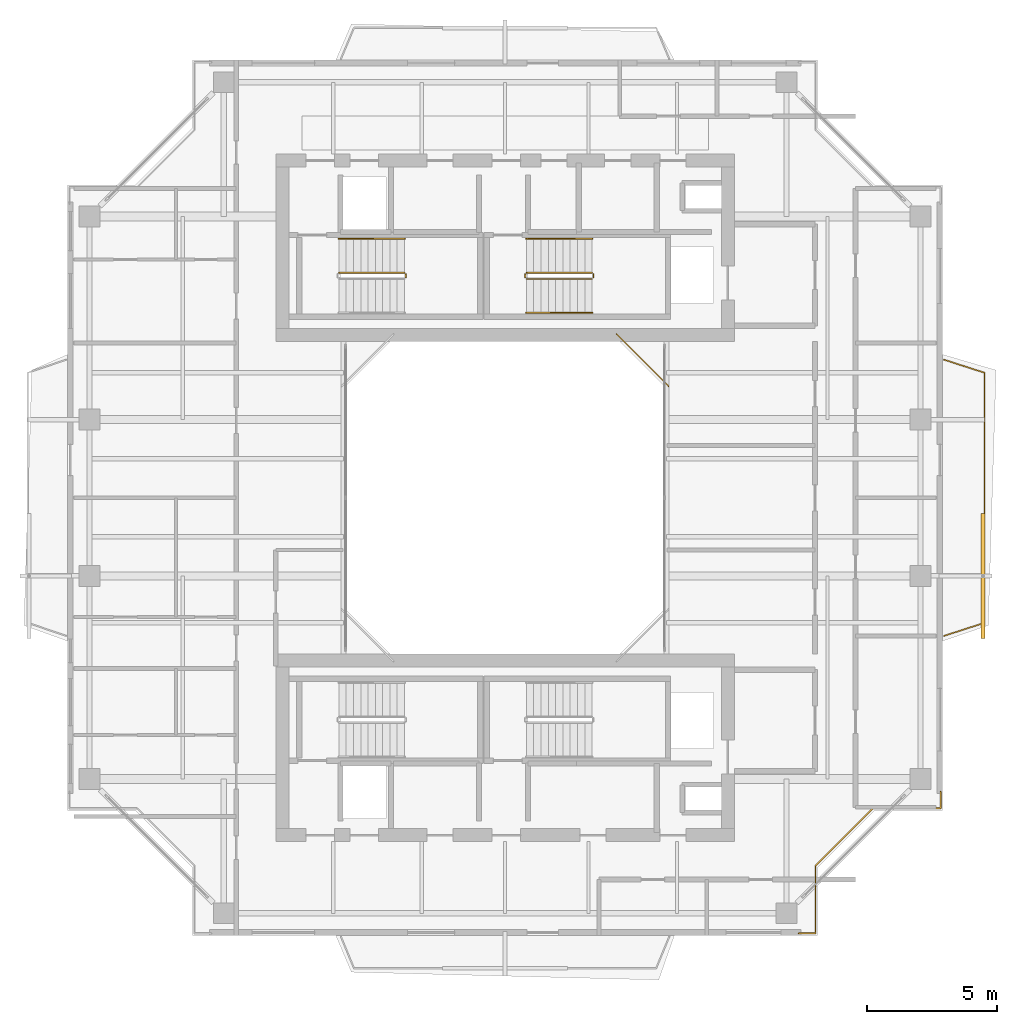
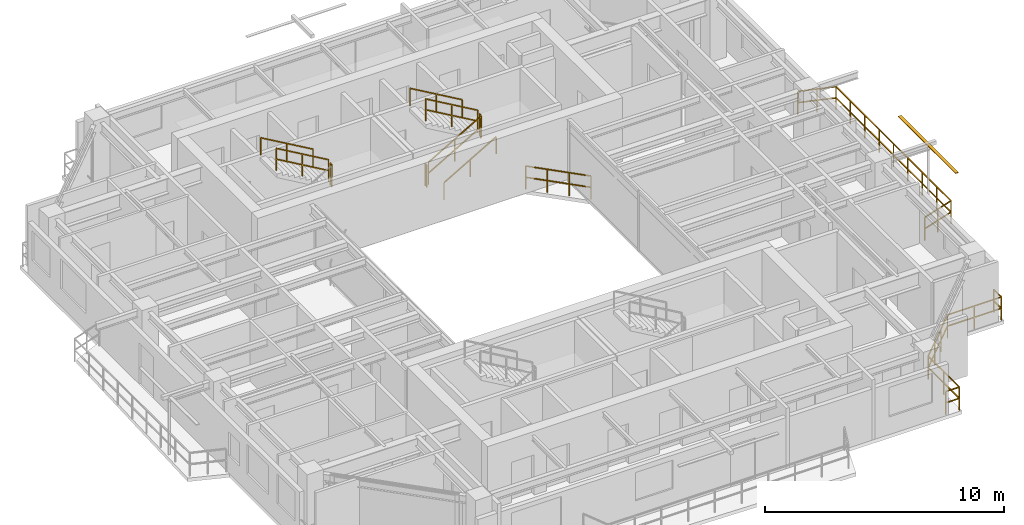
# One storey, part 15 of 16: 12 railings, 1 shading device.
"""IFC4 building model written with IfcOpenShell, lengths in metres."""

from ifc_helpers import new_model, si_unit, direction, frame, origin, origin_2d, place, context, subcontext, project, spatial, rectangle, extrude, source, transform, mapped, material, material_profile, profile_set, type_object, element, save


model = new_model("IFC4")

# Units and contexts
model_context = context("Model", 3, precision=1e-05, world=origin(), true_north=direction((0.0, 1.0)))
body_context = subcontext(model_context, "Body", "Model", "MODEL_VIEW")
ifc_project = project(units=[si_unit("LENGTHUNIT", "METRE"), si_unit("AREAUNIT", "SQUARE_METRE"), si_unit("VOLUMEUNIT", "CUBIC_METRE"), si_unit("PLANEANGLEUNIT", "RADIAN"), si_unit("MASSUNIT", "GRAM", prefix="KILO"), si_unit("THERMODYNAMICTEMPERATUREUNIT", "KELVIN"), si_unit("POWERUNIT", "WATT")], contexts=[model_context])

# Site, building, storey
site_placement = place(None, origin())
site = spatial("IfcSite", under=ifc_project, at=site_placement, CompositionType="ELEMENT")
building_placement = place(site_placement, origin())
building = spatial("IfcBuilding", under=site, at=building_placement, Name="Qiaomeng Ring Towers", CompositionType="ELEMENT")
storey_placement = place(building_placement, frame((0.0, 0.0, 216.5)))
storey = spatial("IfcBuildingStorey", under=building, at=storey_placement, Name="L63", CompositionType="ELEMENT", Elevation=216.5)

# Railings
ifc_material_1 = material(Name="Low-E pale-green laminated safety glass", Category="glass")
railing_type_1 = type_object("IfcRailingType", Name="ARC-RL-BAL1", PredefinedType="BALUSTRADE", material=ifc_material_1)
railing_1_placement = place(storey_placement, frame((25.280029296875, 27.280029296875, 0.0)))
element("IfcRailing", 1, at=railing_1_placement, inside=storey, type_object=railing_type_1, Name="L63 Balustrade ARC-BAL-WELL1-L63-2", PredefinedType="BALUSTRADE", context=body_context, shape_type="SweptSolid", body=[
    extrude(rectangle(XDim=0.048095703125, YDim=0.048095703125, at=origin_2d()), frame((0.0, 0.0, 1.17578125), z_axis=(-0.707106781187, 0.707106781187, 0.0), x_axis=(-0.707106781187, -0.707106781187, 0.0)), (0.0, 0.0, 1.0), 2.828369140625),
    extrude(rectangle(XDim=0.048095703125, YDim=0.048095703125, at=origin_2d()), frame((0.0, 0.0, 0.60009765625), z_axis=(-0.707106781187, 0.707106781187, 0.0), x_axis=(-0.707106781187, -0.707106781187, 0.0)), (0.0, 0.0, 1.0), 2.828369140625),
    extrude(rectangle(XDim=0.0419921875, YDim=0.0419921875, at=origin_2d()), origin(), (0.0, 0.0, 1.0), 1.15185546875),
    extrude(rectangle(XDim=0.0419921875, YDim=0.0419921875, at=origin_2d()), frame((-0.666748046875, 0.666748046875, 0.0)), (0.0, 0.0, 1.0), 1.15185546875),
    extrude(rectangle(XDim=0.0419921875, YDim=0.0419921875, at=origin_2d()), frame((-1.333251953125, 1.333251953125, 0.0)), (0.0, 0.0, 1.0), 1.15185546875),
    extrude(rectangle(XDim=0.0419921875, YDim=0.0419921875, at=origin_2d()), frame((-2.0, 2.0, 0.0)), (0.0, 0.0, 1.0), 1.15185546875),
])
railing_2_placement = place(storey_placement, frame((30.27001953125, 6.280029296875, 0.0)))
element("IfcRailing", 2, at=railing_2_placement, inside=storey, type_object=railing_type_1, Name="L63 Balustrade ARC-BAL-NOTCH1-L63-SE", PredefinedType="BALUSTRADE", context=body_context, shape_type="SweptSolid", body=[
    extrude(rectangle(XDim=0.048095703125, YDim=0.048095703125, at=origin_2d()), frame((0.0, 0.0, 1.17578125), z_axis=(1.0, 0.0, 0.0), x_axis=(0.0, 1.0, 0.0)), (0.0, 0.0, 1.0), 0.64990234375),
    extrude(rectangle(XDim=0.048095703125, YDim=0.048095703125, at=origin_2d()), frame((0.0, 0.0, 0.60009765625), z_axis=(1.0, 0.0, 0.0), x_axis=(0.0, 1.0, 0.0)), (0.0, 0.0, 1.0), 0.64990234375),
    extrude(rectangle(XDim=0.048095703125, YDim=0.048095703125, at=origin_2d()), frame((0.64990234375, 0.0, 1.17578125), z_axis=(0.0, 1.0, 0.0), x_axis=(-1.0, 0.0, 0.0)), (0.0, 0.0, 1.0), 2.599853515625),
    extrude(rectangle(XDim=0.048095703125, YDim=0.048095703125, at=origin_2d()), frame((0.64990234375, 0.0, 0.60009765625), z_axis=(0.0, 1.0, 0.0), x_axis=(-1.0, 0.0, 0.0)), (0.0, 0.0, 1.0), 2.599853515625),
    extrude(rectangle(XDim=0.048095703125, YDim=0.048095703125, at=origin_2d()), frame((0.64990234375, 2.599853515625, 1.17578125), z_axis=(0.707106781187, 0.707106781187, 0.0), x_axis=(-0.707106781187, 0.707106781187, 0.0)), (0.0, 0.0, 1.0), 3.111572265625),
    extrude(rectangle(XDim=0.048095703125, YDim=0.048095703125, at=origin_2d()), frame((0.64990234375, 2.599853515625, 0.60009765625), z_axis=(0.707106781187, 0.707106781187, 0.0), x_axis=(-0.707106781187, 0.707106781187, 0.0)), (0.0, 0.0, 1.0), 3.111572265625),
    extrude(rectangle(XDim=0.048095703125, YDim=0.048095703125, at=origin_2d()), frame((2.85009765625, 4.800048828125, 1.17578125), z_axis=(1.0, 0.0, 0.0), x_axis=(0.0, 1.0, 0.0)), (0.0, 0.0, 1.0), 2.599853515625),
    extrude(rectangle(XDim=0.048095703125, YDim=0.048095703125, at=origin_2d()), frame((2.85009765625, 4.800048828125, 0.60009765625), z_axis=(1.0, 0.0, 0.0), x_axis=(0.0, 1.0, 0.0)), (0.0, 0.0, 1.0), 2.599853515625),
    extrude(rectangle(XDim=0.048095703125, YDim=0.048095703125, at=origin_2d()), frame((5.449951171875, 4.800048828125, 1.17578125), z_axis=(0.0, 1.0, 0.0), x_axis=(-1.0, 0.0, 0.0)), (0.0, 0.0, 1.0), 0.64990234375),
    extrude(rectangle(XDim=0.048095703125, YDim=0.048095703125, at=origin_2d()), frame((5.449951171875, 4.800048828125, 0.60009765625), z_axis=(0.0, 1.0, 0.0), x_axis=(-1.0, 0.0, 0.0)), (0.0, 0.0, 1.0), 0.64990234375),
    extrude(rectangle(XDim=0.0419921875, YDim=0.0419921875, at=origin_2d()), origin(), (0.0, 0.0, 1.0), 1.15185546875),
    extrude(rectangle(XDim=0.0419921875, YDim=0.0419921875, at=origin_2d()), frame((0.64990234375, 0.0, 0.0)), (0.0, 0.0, 1.0), 1.15185546875),
    extrude(rectangle(XDim=0.0419921875, YDim=0.0419921875, at=origin_2d()), frame((0.64990234375, 1.2998046875, 0.0)), (0.0, 0.0, 1.0), 1.15185546875),
    extrude(rectangle(XDim=0.0419921875, YDim=0.0419921875, at=origin_2d()), frame((0.64990234375, 2.599853515625, 0.0)), (0.0, 0.0, 1.0), 1.15185546875),
    extrude(rectangle(XDim=0.0419921875, YDim=0.0419921875, at=origin_2d()), frame((1.38330078125, 3.333251953125, 0.0)), (0.0, 0.0, 1.0), 1.15185546875),
    extrude(rectangle(XDim=0.0419921875, YDim=0.0419921875, at=origin_2d()), frame((2.11669921875, 4.066650390625, 0.0)), (0.0, 0.0, 1.0), 1.15185546875),
    extrude(rectangle(XDim=0.0419921875, YDim=0.0419921875, at=origin_2d()), frame((2.85009765625, 4.800048828125, 0.0)), (0.0, 0.0, 1.0), 1.15185546875),
    extrude(rectangle(XDim=0.0419921875, YDim=0.0419921875, at=origin_2d()), frame((4.14990234375, 4.800048828125, 0.0)), (0.0, 0.0, 1.0), 1.15185546875),
    extrude(rectangle(XDim=0.0419921875, YDim=0.0419921875, at=origin_2d()), frame((5.449951171875, 4.800048828125, 0.0)), (0.0, 0.0, 1.0), 1.15185546875),
    extrude(rectangle(XDim=0.0419921875, YDim=0.0419921875, at=origin_2d()), frame((5.449951171875, 5.449951171875, 0.0)), (0.0, 0.0, 1.0), 1.15185546875),
])
railing_3_placement = place(storey_placement, frame((35.85009765625, 17.699951171875, 0.0)))
element("IfcRailing", 3, at=railing_3_placement, inside=storey, type_object=railing_type_1, Name="L63 Balustrade ARC-BAL-L63-T1-E", PredefinedType="BALUSTRADE", context=body_context, shape_type="SweptSolid", body=[
    extrude(rectangle(XDim=0.048095703125, YDim=0.048095703125, at=origin_2d()), frame((0.0, 0.0, 1.17578125), z_axis=(0.951697313001, 0.307037822468, 0.0), x_axis=(-0.307037822468, 0.951697313001, 0.0)), (0.0, 0.0, 1.0), 1.62841796875),
    extrude(rectangle(XDim=0.048095703125, YDim=0.048095703125, at=origin_2d()), frame((0.0, 0.0, 0.60009765625), z_axis=(0.951697313001, 0.307037822468, 0.0), x_axis=(-0.307037822468, 0.951697313001, 0.0)), (0.0, 0.0, 1.0), 1.62841796875),
    extrude(rectangle(XDim=0.048095703125, YDim=0.048095703125, at=origin_2d()), frame((1.5498046875, 0.5, 1.17578125), z_axis=(0.0, 1.0, 0.0), x_axis=(-1.0, 0.0, 0.0)), (0.0, 0.0, 1.0), 9.60009765625),
    extrude(rectangle(XDim=0.048095703125, YDim=0.048095703125, at=origin_2d()), frame((1.5498046875, 0.5, 0.60009765625), z_axis=(0.0, 1.0, 0.0), x_axis=(-1.0, 0.0, 0.0)), (0.0, 0.0, 1.0), 9.60009765625),
    extrude(rectangle(XDim=0.048095703125, YDim=0.048095703125, at=origin_2d()), frame((1.5498046875, 10.10009765625, 1.17578125), z_axis=(-0.951697313001, 0.307037822468, 0.0), x_axis=(-0.307037822468, -0.951697313001, 0.0)), (0.0, 0.0, 1.0), 1.62841796875),
    extrude(rectangle(XDim=0.048095703125, YDim=0.048095703125, at=origin_2d()), frame((1.5498046875, 10.10009765625, 0.60009765625), z_axis=(-0.951697313001, 0.307037822468, 0.0), x_axis=(-0.307037822468, -0.951697313001, 0.0)), (0.0, 0.0, 1.0), 1.62841796875),
    extrude(rectangle(XDim=0.0419921875, YDim=0.0419921875, at=origin_2d()), origin(), (0.0, 0.0, 1.0), 1.15185546875),
    extrude(rectangle(XDim=0.0419921875, YDim=0.0419921875, at=origin_2d()), frame((0.77490234375, 0.25, 0.0)), (0.0, 0.0, 1.0), 1.15185546875),
    extrude(rectangle(XDim=0.0419921875, YDim=0.0419921875, at=origin_2d()), frame((1.5498046875, 0.5, 0.0)), (0.0, 0.0, 1.0), 1.15185546875),
    extrude(rectangle(XDim=0.0419921875, YDim=0.0419921875, at=origin_2d()), frame((1.5498046875, 1.699951171875, 0.0)), (0.0, 0.0, 1.0), 1.15185546875),
    extrude(rectangle(XDim=0.0419921875, YDim=0.0419921875, at=origin_2d()), frame((1.5498046875, 2.89990234375, 0.0)), (0.0, 0.0, 1.0), 1.15185546875),
    extrude(rectangle(XDim=0.0419921875, YDim=0.0419921875, at=origin_2d()), frame((1.5498046875, 4.10009765625, 0.0)), (0.0, 0.0, 1.0), 1.15185546875),
    extrude(rectangle(XDim=0.0419921875, YDim=0.0419921875, at=origin_2d()), frame((1.5498046875, 5.300048828125, 0.0)), (0.0, 0.0, 1.0), 1.15185546875),
    extrude(rectangle(XDim=0.0419921875, YDim=0.0419921875, at=origin_2d()), frame((1.5498046875, 6.5, 0.0)), (0.0, 0.0, 1.0), 1.15185546875),
    extrude(rectangle(XDim=0.0419921875, YDim=0.0419921875, at=origin_2d()), frame((1.5498046875, 7.7001953125, 0.0)), (0.0, 0.0, 1.0), 1.15185546875),
    extrude(rectangle(XDim=0.0419921875, YDim=0.0419921875, at=origin_2d()), frame((1.5498046875, 8.900146484375, 0.0)), (0.0, 0.0, 1.0), 1.15185546875),
    extrude(rectangle(XDim=0.0419921875, YDim=0.0419921875, at=origin_2d()), frame((1.5498046875, 10.10009765625, 0.0)), (0.0, 0.0, 1.0), 1.15185546875),
    extrude(rectangle(XDim=0.0419921875, YDim=0.0419921875, at=origin_2d()), frame((0.77490234375, 10.35009765625, 0.0)), (0.0, 0.0, 1.0), 1.15185546875),
    extrude(rectangle(XDim=0.0419921875, YDim=0.0419921875, at=origin_2d()), frame((0.0, 10.60009765625, 0.0)), (0.0, 0.0, 1.0), 1.15185546875),
])
ifc_material_2 = material(Name="Galvanised steel", Category="steel")
railing_type_2 = type_object("IfcRailingType", Name="ARC-RL-GUARD", PredefinedType="GUARDRAIL", material=ifc_material_2)
railing_4_placement = place(storey_placement, frame((15.18994140625, 31.449951171875, 1.625)))
element("IfcRailing", 4, at=railing_4_placement, inside=storey, type_object=railing_type_2, Name="L63 ST1 stair guard 2", PredefinedType="GUARDRAIL", context=body_context, shape_type="SweptSolid", body=[
    extrude(rectangle(XDim=0.048095703125, YDim=0.048095703125, at=origin_2d()), frame((0.0, 0.0, 1.1259765625), z_axis=(0.0, 1.0, 0.0), x_axis=(-1.0, 0.0, 0.0)), (0.0, 0.0, 1.0), 0.14013671875),
    extrude(rectangle(XDim=0.048095703125, YDim=0.048095703125, at=origin_2d()), frame((0.0, 0.0, 0.574951171875), z_axis=(0.0, 1.0, 0.0), x_axis=(-1.0, 0.0, 0.0)), (0.0, 0.0, 1.0), 0.14013671875),
    extrude(rectangle(XDim=0.0419921875, YDim=0.0419921875, at=origin_2d()), origin(), (0.0, 0.0, 1.0), 1.101806640625),
    extrude(rectangle(XDim=0.0419921875, YDim=0.0419921875, at=origin_2d()), frame((0.0, 0.14013671875, 0.0)), (0.0, 0.0, 1.0), 1.101806640625),
])
railing_5_placement = place(storey_placement, frame((15.139892578125, 31.639892578125, 1.78759765625)))
element("IfcRailing", 5, at=railing_5_placement, inside=storey, type_object=railing_type_2, Name="L63 ST1 stair guard 3", PredefinedType="GUARDRAIL", context=body_context, shape_type="SweptSolid", body=[
    extrude(rectangle(XDim=0.048095703125, YDim=0.048095703125, at=origin_2d()), frame((0.0, 0.0, 1.1259765625), z_axis=(-0.864892226395, 0.0, 0.501957604506), x_axis=(0.0, -1.0, 0.0)), (0.0, 0.0, 1.0), 2.913330078125),
    extrude(rectangle(XDim=0.048095703125, YDim=0.048095703125, at=origin_2d()), frame((0.0, 0.0, 0.574951171875), z_axis=(-0.864892226395, 0.0, 0.501957604506), x_axis=(0.0, -1.0, 0.0)), (0.0, 0.0, 1.0), 2.913330078125),
    extrude(rectangle(XDim=0.0419921875, YDim=0.0419921875, at=origin_2d()), origin(), (0.0, 0.0, 1.0), 1.101806640625),
    extrude(rectangle(XDim=0.0419921875, YDim=0.0419921875, at=origin_2d()), frame((-1.259765625, 0.0, 0.731201171875)), (0.0, 0.0, 1.0), 1.101806640625),
    extrude(rectangle(XDim=0.0419921875, YDim=0.0419921875, at=origin_2d()), frame((-2.519775390625, 0.0, 1.46240234375)), (0.0, 0.0, 1.0), 1.101806640625),
])
railing_6_placement = place(storey_placement, frame((19.820068359375, 31.39990234375, 0.16259765625)))
element("IfcRailing", 6, at=railing_6_placement, inside=storey, type_object=railing_type_2, Name="L63 ST2 stair guard 1", PredefinedType="GUARDRAIL", context=body_context, shape_type="SweptSolid", body=[
    extrude(rectangle(XDim=0.048095703125, YDim=0.048095703125, at=origin_2d()), frame((0.0, 0.0, 1.1259765625), z_axis=(0.864913338283, 0.0, 0.50192122615), x_axis=(0.0, 1.0, 0.0)), (0.0, 0.0, 1.0), 2.91357421875),
    extrude(rectangle(XDim=0.048095703125, YDim=0.048095703125, at=origin_2d()), frame((0.0, 0.0, 0.574951171875), z_axis=(0.864913338283, 0.0, 0.50192122615), x_axis=(0.0, 1.0, 0.0)), (0.0, 0.0, 1.0), 2.91357421875),
    extrude(rectangle(XDim=0.0419921875, YDim=0.0419921875, at=origin_2d()), origin(), (0.0, 0.0, 1.0), 1.101806640625),
    extrude(rectangle(XDim=0.0419921875, YDim=0.0419921875, at=origin_2d()), frame((1.260009765625, 0.0, 0.731201171875)), (0.0, 0.0, 1.0), 1.101806640625),
    extrude(rectangle(XDim=0.0419921875, YDim=0.0419921875, at=origin_2d()), frame((2.52001953125, 0.0, 1.46240234375)), (0.0, 0.0, 1.0), 1.101806640625),
])
railing_7_placement = place(storey_placement, frame((22.389892578125, 31.449951171875, 1.625)))
element("IfcRailing", 7, at=railing_7_placement, inside=storey, type_object=railing_type_2, Name="L63 ST2 stair guard 2", PredefinedType="GUARDRAIL", context=body_context, shape_type="SweptSolid", body=[
    extrude(rectangle(XDim=0.048095703125, YDim=0.048095703125, at=origin_2d()), frame((0.0, 0.0, 1.1259765625), z_axis=(0.0, 1.0, 0.0), x_axis=(-1.0, 0.0, 0.0)), (0.0, 0.0, 1.0), 0.14013671875),
    extrude(rectangle(XDim=0.048095703125, YDim=0.048095703125, at=origin_2d()), frame((0.0, 0.0, 0.574951171875), z_axis=(0.0, 1.0, 0.0), x_axis=(-1.0, 0.0, 0.0)), (0.0, 0.0, 1.0), 0.14013671875),
    extrude(rectangle(XDim=0.0419921875, YDim=0.0419921875, at=origin_2d()), origin(), (0.0, 0.0, 1.0), 1.101806640625),
    extrude(rectangle(XDim=0.0419921875, YDim=0.0419921875, at=origin_2d()), frame((0.0, 0.14013671875, 0.0)), (0.0, 0.0, 1.0), 1.101806640625),
])
railing_8_placement = place(storey_placement, frame((22.340087890625, 31.639892578125, 1.78759765625)))
element("IfcRailing", 8, at=railing_8_placement, inside=storey, type_object=railing_type_2, Name="L63 ST2 stair guard 3", PredefinedType="GUARDRAIL", context=body_context, shape_type="SweptSolid", body=[
    extrude(rectangle(XDim=0.048095703125, YDim=0.048095703125, at=origin_2d()), frame((0.0, 0.0, 1.1259765625), z_axis=(-0.864913338283, 0.0, 0.50192122615), x_axis=(0.0, -1.0, 0.0)), (0.0, 0.0, 1.0), 2.91357421875),
    extrude(rectangle(XDim=0.048095703125, YDim=0.048095703125, at=origin_2d()), frame((0.0, 0.0, 0.574951171875), z_axis=(-0.864913338283, 0.0, 0.50192122615), x_axis=(0.0, -1.0, 0.0)), (0.0, 0.0, 1.0), 2.91357421875),
    extrude(rectangle(XDim=0.0419921875, YDim=0.0419921875, at=origin_2d()), origin(), (0.0, 0.0, 1.0), 1.101806640625),
    extrude(rectangle(XDim=0.0419921875, YDim=0.0419921875, at=origin_2d()), frame((-1.260009765625, 0.0, 0.731201171875)), (0.0, 0.0, 1.0), 1.101806640625),
    extrude(rectangle(XDim=0.0419921875, YDim=0.0419921875, at=origin_2d()), frame((-2.52001953125, 0.0, 1.46240234375)), (0.0, 0.0, 1.0), 1.101806640625),
])
railing_9_placement = place(storey_placement, frame((19.77001953125, 31.449951171875, 0.0)))
element("IfcRailing", 9, at=railing_9_placement, inside=storey, type_object=railing_type_2, Name="L63 ST2 stair guard 4", PredefinedType="GUARDRAIL", context=body_context, shape_type="SweptSolid", body=[
    extrude(rectangle(XDim=0.048095703125, YDim=0.048095703125, at=origin_2d()), frame((0.0, 0.0, 1.1259765625), z_axis=(0.0, 1.0, 0.0), x_axis=(-1.0, 0.0, 0.0)), (0.0, 0.0, 1.0), 0.14013671875),
    extrude(rectangle(XDim=0.048095703125, YDim=0.048095703125, at=origin_2d()), frame((0.0, 0.0, 0.574951171875), z_axis=(0.0, 1.0, 0.0), x_axis=(-1.0, 0.0, 0.0)), (0.0, 0.0, 1.0), 0.14013671875),
    extrude(rectangle(XDim=0.0419921875, YDim=0.0419921875, at=origin_2d()), origin(), (0.0, 0.0, 1.0), 1.101806640625),
    extrude(rectangle(XDim=0.0419921875, YDim=0.0419921875, at=origin_2d()), frame((0.0, 0.14013671875, 0.0)), (0.0, 0.0, 1.0), 1.101806640625),
])
ifc_material_3 = material(Name="Stainless steel 316", Category="steel")
railing_type_3 = type_object("IfcRailingType", Name="ARC-RL-HAND", PredefinedType="HANDRAIL", material=ifc_material_3)
railing_10_placement = place(storey_placement, frame((15.139892578125, 32.93994140625, 1.78759765625)))
element("IfcRailing", 10, at=railing_10_placement, inside=storey, type_object=railing_type_3, Name="L63 ST1 stair handrail 2", PredefinedType="HANDRAIL", context=body_context, shape_type="SweptSolid", body=[
    extrude(rectangle(XDim=0.048095703125, YDim=0.048095703125, at=origin_2d()), frame((0.0, 0.0, 0.8759765625), z_axis=(-0.864892226395, 0.0, 0.501957604506), x_axis=(0.0, -1.0, 0.0)), (0.0, 0.0, 1.0), 2.913330078125),
    extrude(rectangle(XDim=0.0419921875, YDim=0.0419921875, at=origin_2d()), origin(), (0.0, 0.0, 1.0), 0.851806640625),
    extrude(rectangle(XDim=0.0419921875, YDim=0.0419921875, at=origin_2d()), frame((-1.259765625, 0.0, 0.731201171875)), (0.0, 0.0, 1.0), 0.851806640625),
    extrude(rectangle(XDim=0.0419921875, YDim=0.0419921875, at=origin_2d()), frame((-2.519775390625, 0.0, 1.46240234375)), (0.0, 0.0, 1.0), 0.851806640625),
])
railing_11_placement = place(storey_placement, frame((19.820068359375, 30.10009765625, 0.16259765625)))
element("IfcRailing", 11, at=railing_11_placement, inside=storey, type_object=railing_type_3, Name="L63 ST2 stair handrail 1", PredefinedType="HANDRAIL", context=body_context, shape_type="SweptSolid", body=[
    extrude(rectangle(XDim=0.048095703125, YDim=0.048095703125, at=origin_2d()), frame((0.0, 0.0, 0.8759765625), z_axis=(0.864913338283, 0.0, 0.50192122615), x_axis=(0.0, 1.0, 0.0)), (0.0, 0.0, 1.0), 2.91357421875),
    extrude(rectangle(XDim=0.0419921875, YDim=0.0419921875, at=origin_2d()), origin(), (0.0, 0.0, 1.0), 0.851806640625),
    extrude(rectangle(XDim=0.0419921875, YDim=0.0419921875, at=origin_2d()), frame((1.260009765625, 0.0, 0.731201171875)), (0.0, 0.0, 1.0), 0.851806640625),
    extrude(rectangle(XDim=0.0419921875, YDim=0.0419921875, at=origin_2d()), frame((2.52001953125, 0.0, 1.46240234375)), (0.0, 0.0, 1.0), 0.851806640625),
])
railing_12_placement = place(storey_placement, frame((22.340087890625, 32.93994140625, 1.78759765625)))
element("IfcRailing", 12, at=railing_12_placement, inside=storey, type_object=railing_type_3, Name="L63 ST2 stair handrail 2", PredefinedType="HANDRAIL", context=body_context, shape_type="SweptSolid", body=[
    extrude(rectangle(XDim=0.048095703125, YDim=0.048095703125, at=origin_2d()), frame((0.0, 0.0, 0.8759765625), z_axis=(-0.864913338283, 0.0, 0.50192122615), x_axis=(0.0, -1.0, 0.0)), (0.0, 0.0, 1.0), 2.91357421875),
    extrude(rectangle(XDim=0.0419921875, YDim=0.0419921875, at=origin_2d()), origin(), (0.0, 0.0, 1.0), 0.851806640625),
    extrude(rectangle(XDim=0.0419921875, YDim=0.0419921875, at=origin_2d()), frame((-1.260009765625, 0.0, 0.731201171875)), (0.0, 0.0, 1.0), 0.851806640625),
    extrude(rectangle(XDim=0.0419921875, YDim=0.0419921875, at=origin_2d()), frame((-2.52001953125, 0.0, 1.46240234375)), (0.0, 0.0, 1.0), 0.851806640625),
])

# Shading device
ifc_material_4 = material(Name="Fluorocarbon dark-grey aluminium", Category="aluminium")
ifc_material_profile = material_profile(ifc_material_4, rectangle(XDim=0.14990234375, YDim=0.034912109375, at=origin_2d()), Name="LV BLADE 150x35")
ifc_profile_set = profile_set([ifc_material_profile], Name="Fluorocarbon dark-grey aluminium")
shading_device_type = type_object("IfcShadingDeviceType", Name="ARC-SHD-SUN", PredefinedType="AWNING", material=ifc_profile_set)
shared_shape = source(origin(), body_context, "Body", "SweptSolid", [
    extrude(rectangle(XDim=0.14990234375, YDim=0.034912109375, at=origin_2d()), origin(), (0.0, 0.0, 1.0), 4.7998046875),
])
shading_device_placement = place(storey_placement, frame((37.35009765625, 17.60009765625, 2.969970703125), z_axis=(0.0, 1.0, 0.0), x_axis=(-1.0, 0.0, 0.0)))
element("IfcShadingDevice", 13, at=shading_device_placement, inside=storey, type_object=shading_device_type, Name="L63 Ventilated Outer-Skin Sunshade E", PredefinedType="AWNING", context=body_context, shape_type="MappedRepresentation", body=[
    mapped(shared_shape, transform((0.0, 0.0, 0.0), x_axis=(1.0, 0.0, 0.0), y_axis=(0.0, 1.0, 0.0), z_axis=(0.0, 0.0, 1.0), scale=1.0)),
])

save(model, "model.ifc")
